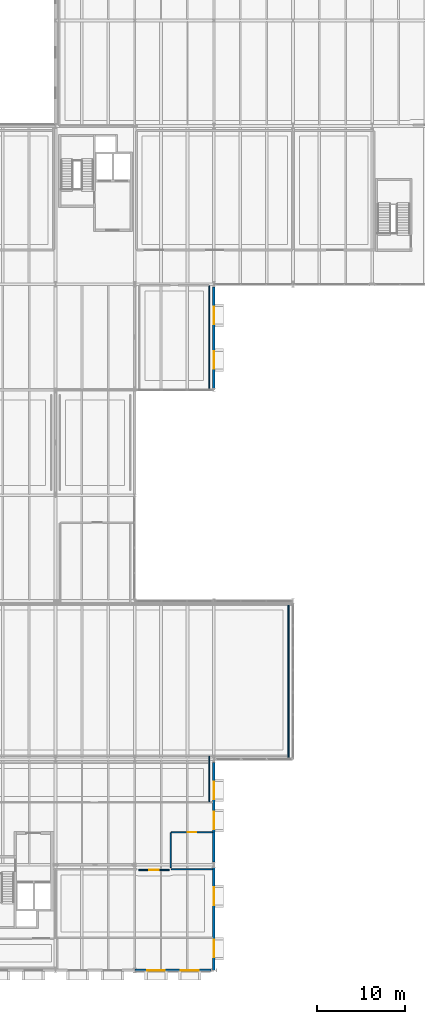
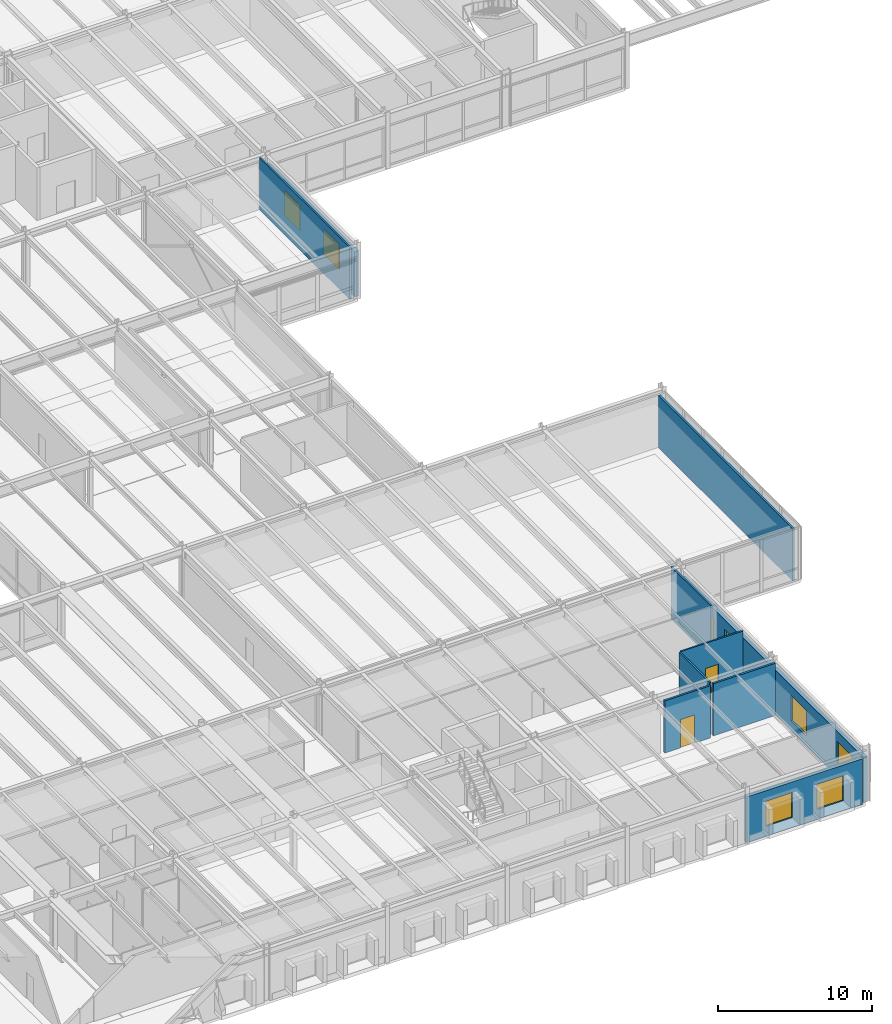
# One storey, part 116 of 127: 11 walls, 8 windows, 2 doors, 10 openings.
"""IFC4 building model written with IfcOpenShell, lengths in metres."""

from ifc_helpers import new_model, si_unit, direction, frame, frame_2d, origin, place, context, subcontext, project, spatial, rectangle, extrude, material, layer, layer_set, type_object, element, fill, save


model = new_model("IFC4")

# Units and contexts
model_context = context("Model", 3, precision=1e-05, world=origin(), true_north=direction((0.0, 1.0)))
body_context = subcontext(model_context, "Body", "Model", "MODEL_VIEW")
ifc_project = project(units=[si_unit("LENGTHUNIT", "METRE"), si_unit("AREAUNIT", "SQUARE_METRE"), si_unit("VOLUMEUNIT", "CUBIC_METRE"), si_unit("PLANEANGLEUNIT", "RADIAN"), si_unit("MASSUNIT", "GRAM", prefix="KILO")], contexts=[model_context])

# Site, building, storey
site_placement = place(None, origin())
site = spatial("IfcSite", under=ifc_project, at=site_placement, CompositionType="ELEMENT")
building_placement = place(site_placement, origin())
building = spatial("IfcBuilding", under=site, at=building_placement, Name="Montelvaro Courts of Justice", CompositionType="ELEMENT")
storey_placement = place(building_placement, frame((0.0, 0.0, 5.39990234375)))
storey = spatial("IfcBuildingStorey", under=building, at=storey_placement, Name="L01", CompositionType="ELEMENT", Elevation=5.39990234375)

# Walls
ifc_material_1 = material(Name="Gypsum board on metal stud")
ifc_layer_1 = layer(ifc_material_1, 0.14990234375)
ifc_layer_set_1 = layer_set([ifc_layer_1], Name="Gypsum board on metal stud")
wall_type_1 = type_object("IfcWallType", Name="ChambersPartition_150", PredefinedType="PARTITIONING", material=ifc_layer_set_1)
wall_1_placement = place(storey_placement, frame((143.5, 41.530029296875, 0.0), z_axis=(0.0, 0.0, 1.0), x_axis=(0.0, -1.0, 0.0)))
element("IfcWall", 1, at=wall_1_placement, inside=storey, type_object=wall_type_1, Name="Interior Partition IW-04 (L01)", PredefinedType="PARTITIONING", context=body_context, shape_type="SweptSolid", body=[
    extrude(rectangle(XDim=17.455078125, YDim=0.14990234375, at=frame_2d((8.7275390625, 0.0))), origin(), (0.0, 0.0, 1.0), 4.14013671875),
])
wall_2_placement = place(storey_placement, frame((130.179931640625, 11.5, 0.0), z_axis=(0.0, 0.0, 1.0), x_axis=(1.0, 0.0, 0.0)))
element("IfcWall", 2, at=wall_2_placement, inside=storey, type_object=wall_type_1, Name="Interior Partition IW-04 (L01)", PredefinedType="PARTITIONING", context=body_context, shape_type="SweptSolid", body=[
    extrude(rectangle(XDim=4.675048828125, YDim=0.14990234375, at=frame_2d((2.33740234375, 0.0))), origin(), (0.0, 0.0, 1.0), 4.14013671875),
])

# Wall, opening, door
wall_3_placement = place(storey_placement, frame((126.47998046875, 11.39990234375, 0.0), z_axis=(0.0, 0.0, 1.0), x_axis=(1.0, 0.0, 0.0)))
wall_3 = element("IfcWall", 3, at=wall_3_placement, inside=storey, type_object=wall_type_1, Name="Interior Partition IW-04 (L01)", PredefinedType="PARTITIONING", context=body_context, shape_type="SweptSolid", body=[
    extrude(rectangle(XDim=3.43994140625, YDim=0.14990234375, at=frame_2d((1.719970703125, 0.0))), origin(), (0.0, 0.0, 1.0), 4.14013671875),
])
opening_1_placement = place(wall_3_placement, frame((1.195068359375, 0.0, 0.0)))
opening_1 = element("IfcOpeningElement", 4, at=opening_1_placement, cuts=wall_3, Name="Opening D-L01-075", PredefinedType="OPENING", context=body_context, shape_type="SweptSolid", body=[
    extrude(rectangle(XDim=1.050048828125, YDim=2.25, at=frame_2d((0.52490234375, 1.125))), frame((0.0, 0.08984375, 0.0), z_axis=(0.0, -1.0, 0.0), x_axis=(1.0, 0.0, 0.0)), (0.0, 0.0, 1.0), 0.1796875),
])
ifc_material_2 = material(Name="Acoustic oak timber veneer", Category="wood")
door_type_1 = type_object("IfcDoorType", Name="ChamberDoor_105x225", OperationType="NOTDEFINED", PredefinedType="DOOR", material=ifc_material_2)
door_1_placement = place(opening_1_placement, frame((1.050048828125, 0.0, 0.0), z_axis=(0.0, 0.0, 1.0), x_axis=(-1.0, 0.0, 0.0)))
door_1 = element("IfcDoor", 5, at=door_1_placement, inside=storey, type_object=door_type_1, Name="Interior Door D-L01-075 (Court Interpreters' Suite L01)", OperationType="SINGLE_SWING_RIGHT", OverallHeight=2.25, OverallWidth=1.050048828125, PredefinedType="DOOR", context=body_context, shape_type="SweptSolid", body=[
    extrude(rectangle(XDim=1.050048828125, YDim=2.25, at=frame_2d((0.52490234375, 1.125))), frame((0.0, 0.02490234375, 0.0), z_axis=(0.0, -1.0, 0.0), x_axis=(1.0, 0.0, 0.0)), (0.0, 0.0, 1.0), 0.050048828125),
])
fill(opening_1, door_1)

# Wall, openings, windows
ifc_material_3 = material(Name="White mineral precast concrete C45/55", Category="concrete")
ifc_layer_2 = layer(ifc_material_3, 0.300048828125)
ifc_layer_set_2 = layer_set([ifc_layer_2], Name="White mineral precast concrete C45/55")
wall_type_2 = type_object("IfcWallType", Name="ExtWall_GFRC_300", PredefinedType="SOLIDWALL", material=ifc_layer_set_2)
wall_4_placement = place(storey_placement, frame((135.0, 66.157958984375, 0.0), z_axis=(0.0, 0.0, 1.0), x_axis=(0.0, 1.0, 0.0)))
wall_4 = element("IfcWall", 6, at=wall_4_placement, inside=storey, type_object=wall_type_2, Name="Exterior Facade Wall EW-02 (L01)", PredefinedType="SOLIDWALL", context=body_context, shape_type="SweptSolid", body=[
    extrude(rectangle(XDim=11.5439453125, YDim=0.300048828125, at=frame_2d((5.77197265625, 0.0))), origin(), (0.0, 0.0, 1.0), 3.59521484375),
])
opening_2_placement = place(wall_4_placement, frame((2.23193359375, 0.0, 0.800048828125)))
opening_2 = element("IfcOpeningElement", 7, at=opening_2_placement, cuts=wall_4, Name="Opening WE-11", PredefinedType="OPENING", context=body_context, shape_type="SweptSolid", body=[
    extrude(rectangle(XDim=2.0, YDim=2.0, at=frame_2d((1.0, 1.0))), frame((0.0, 0.1650390625, 0.0), z_axis=(0.0, -1.0, 0.0), x_axis=(1.0, 0.0, 0.0)), (0.0, 0.0, 1.0), 0.329833984375),
])
opening_3_placement = place(wall_4_placement, frame((7.31201171875, 0.0, 0.800048828125)))
opening_3 = element("IfcOpeningElement", 8, at=opening_3_placement, cuts=wall_4, Name="Opening WE-11", PredefinedType="OPENING", context=body_context, shape_type="SweptSolid", body=[
    extrude(rectangle(XDim=2.0, YDim=2.0, at=frame_2d((1.0, 1.0))), frame((0.0, 0.1650390625, 0.0), z_axis=(0.0, -1.0, 0.0), x_axis=(1.0, 0.0, 0.0)), (0.0, 0.0, 1.0), 0.329833984375),
])
ifc_material_4 = material(Name="Low-E solar control double glazing", Category="glass")
window_type = type_object("IfcWindowType", Name="Win_Sq_200x200", PartitioningType="SINGLE_PANEL", PredefinedType="WINDOW", material=ifc_material_4)
window_1_placement = place(opening_2_placement, origin())
window_1 = element("IfcWindow", 9, at=window_1_placement, inside=storey, type_object=window_type, Name="Window W-L01-040", OverallHeight=2.0, OverallWidth=2.0, PartitioningType="SINGLE_PANEL", PredefinedType="WINDOW", context=body_context, shape_type="SweptSolid", body=[
    extrude(rectangle(XDim=2.0, YDim=2.0, at=frame_2d((1.0, 1.0))), frame((0.0, 0.030029296875, 0.0), z_axis=(0.0, -1.0, 0.0), x_axis=(1.0, 0.0, 0.0)), (0.0, 0.0, 1.0), 0.06005859375),
])
fill(opening_2, window_1)
window_2_placement = place(opening_3_placement, origin())
window_2 = element("IfcWindow", 10, at=window_2_placement, inside=storey, type_object=window_type, Name="Window W-L01-041", OverallHeight=2.0, OverallWidth=2.0, PartitioningType="SINGLE_PANEL", PredefinedType="WINDOW", context=body_context, shape_type="SweptSolid", body=[
    extrude(rectangle(XDim=2.0, YDim=2.0, at=frame_2d((1.0, 1.0))), frame((0.0, 0.030029296875, 0.0), z_axis=(0.0, -1.0, 0.0), x_axis=(1.0, 0.0, 0.0)), (0.0, 0.0, 1.0), 0.06005859375),
])
fill(opening_3, window_2)

wall_5_placement = place(storey_placement, frame((126.008056640625, 0.0, 0.0), z_axis=(0.0, 0.0, 1.0), x_axis=(1.0, 0.0, 0.0)))
wall_5 = element("IfcWall", 11, at=wall_5_placement, inside=storey, type_object=wall_type_2, Name="Exterior Facade Wall EW-02 (L01)", PredefinedType="SOLIDWALL", context=body_context, shape_type="SweptSolid", body=[
    extrude(rectangle(XDim=8.683837890625, YDim=0.300048828125, at=frame_2d((4.341796875, 0.0))), origin(), (0.0, 0.0, 1.0), 3.635009765625),
])
opening_4_placement = place(wall_5_placement, frame((1.431884765625, 0.0, 0.800048828125)))
opening_4 = element("IfcOpeningElement", 12, at=opening_4_placement, cuts=wall_5, Name="Opening WE-11", PredefinedType="OPENING", context=body_context, shape_type="SweptSolid", body=[
    extrude(rectangle(XDim=2.0, YDim=2.0, at=frame_2d((1.0, 1.0))), frame((0.0, 0.1650390625, 0.0), z_axis=(0.0, -1.0, 0.0), x_axis=(1.0, 0.0, 0.0)), (0.0, 0.0, 1.0), 0.329833984375),
])
opening_5_placement = place(wall_5_placement, frame((5.251953125, 0.0, 0.800048828125)))
opening_5 = element("IfcOpeningElement", 13, at=opening_5_placement, cuts=wall_5, Name="Opening WE-11", PredefinedType="OPENING", context=body_context, shape_type="SweptSolid", body=[
    extrude(rectangle(XDim=2.0, YDim=2.0, at=frame_2d((1.0, 1.0))), frame((0.0, 0.1650390625, 0.0), z_axis=(0.0, -1.0, 0.0), x_axis=(1.0, 0.0, 0.0)), (0.0, 0.0, 1.0), 0.329833984375),
])
window_3_placement = place(opening_4_placement, origin())
window_3 = element("IfcWindow", 14, at=window_3_placement, inside=storey, type_object=window_type, Name="Window W-L01-072", OverallHeight=2.0, OverallWidth=2.0, PartitioningType="SINGLE_PANEL", PredefinedType="WINDOW", context=body_context, shape_type="SweptSolid", body=[
    extrude(rectangle(XDim=2.0, YDim=2.0, at=frame_2d((1.0, 1.0))), frame((0.0, 0.030029296875, 0.0), z_axis=(0.0, -1.0, 0.0), x_axis=(1.0, 0.0, 0.0)), (0.0, 0.0, 1.0), 0.06005859375),
])
fill(opening_4, window_3)
window_4_placement = place(opening_5_placement, origin())
window_4 = element("IfcWindow", 15, at=window_4_placement, inside=storey, type_object=window_type, Name="Window W-L01-073", OverallHeight=2.0, OverallWidth=2.0, PartitioningType="SINGLE_PANEL", PredefinedType="WINDOW", context=body_context, shape_type="SweptSolid", body=[
    extrude(rectangle(XDim=2.0, YDim=2.0, at=frame_2d((1.0, 1.0))), frame((0.0, 0.030029296875, 0.0), z_axis=(0.0, -1.0, 0.0), x_axis=(1.0, 0.0, 0.0)), (0.0, 0.0, 1.0), 0.06005859375),
])
fill(opening_5, window_4)

wall_6_placement = place(storey_placement, frame((135.0, 0.008056640625, 0.0), z_axis=(0.0, 0.0, 1.0), x_axis=(0.0, 1.0, 0.0)))
wall_6 = element("IfcWall", 16, at=wall_6_placement, inside=storey, type_object=wall_type_2, Name="Exterior Facade Wall EW-02 (L01)", PredefinedType="SOLIDWALL", context=body_context, shape_type="SweptSolid", body=[
    extrude(rectangle(XDim=11.683837890625, YDim=0.300048828125, at=frame_2d((5.841796875, 0.0))), origin(), (0.0, 0.0, 1.0), 3.5751953125),
])
opening_6_placement = place(wall_6_placement, frame((1.451904296875, 0.0, 0.800048828125)))
opening_6 = element("IfcOpeningElement", 17, at=opening_6_placement, cuts=wall_6, Name="Opening WE-11", PredefinedType="OPENING", context=body_context, shape_type="SweptSolid", body=[
    extrude(rectangle(XDim=2.0, YDim=2.0, at=frame_2d((1.0, 1.0))), frame((0.0, 0.1650390625, 0.0), z_axis=(0.0, -1.0, 0.0), x_axis=(1.0, 0.0, 0.0)), (0.0, 0.0, 1.0), 0.329833984375),
])
opening_7_placement = place(wall_6_placement, frame((7.412109375, 0.0, 0.800048828125)))
opening_7 = element("IfcOpeningElement", 18, at=opening_7_placement, cuts=wall_6, Name="Opening WE-11", PredefinedType="OPENING", context=body_context, shape_type="SweptSolid", body=[
    extrude(rectangle(XDim=2.0, YDim=2.0, at=frame_2d((1.0, 1.0))), frame((0.0, 0.1650390625, 0.0), z_axis=(0.0, -1.0, 0.0), x_axis=(1.0, 0.0, 0.0)), (0.0, 0.0, 1.0), 0.329833984375),
])
window_5_placement = place(opening_6_placement, origin())
window_5 = element("IfcWindow", 19, at=window_5_placement, inside=storey, type_object=window_type, Name="Window W-L01-074", OverallHeight=2.0, OverallWidth=2.0, PartitioningType="SINGLE_PANEL", PredefinedType="WINDOW", context=body_context, shape_type="SweptSolid", body=[
    extrude(rectangle(XDim=2.0, YDim=2.0, at=frame_2d((1.0, 1.0))), frame((0.0, 0.030029296875, 0.0), z_axis=(0.0, -1.0, 0.0), x_axis=(1.0, 0.0, 0.0)), (0.0, 0.0, 1.0), 0.06005859375),
])
fill(opening_6, window_5)
window_6_placement = place(opening_7_placement, origin())
window_6 = element("IfcWindow", 20, at=window_6_placement, inside=storey, type_object=window_type, Name="Window W-L01-075", OverallHeight=2.0, OverallWidth=2.0, PartitioningType="SINGLE_PANEL", PredefinedType="WINDOW", context=body_context, shape_type="SweptSolid", body=[
    extrude(rectangle(XDim=2.0, YDim=2.0, at=frame_2d((1.0, 1.0))), frame((0.0, 0.030029296875, 0.0), z_axis=(0.0, -1.0, 0.0), x_axis=(1.0, 0.0, 0.0)), (0.0, 0.0, 1.0), 0.06005859375),
])
fill(opening_7, window_6)

wall_7_placement = place(storey_placement, frame((135.0, 12.30810546875, 0.0), z_axis=(0.0, 0.0, 1.0), x_axis=(0.0, 1.0, 0.0)))
wall_7 = element("IfcWall", 21, at=wall_7_placement, inside=storey, type_object=wall_type_2, Name="Exterior Facade Wall EW-02 (L01)", PredefinedType="SOLIDWALL", context=body_context, shape_type="SweptSolid", body=[
    extrude(rectangle(XDim=11.3359375, YDim=0.300048828125, at=frame_2d((5.66796875, 0.0))), origin(), (0.0, 0.0, 1.0), 3.5751953125),
])
opening_8_placement = place(wall_7_placement, frame((3.73193359375, 0.0, 0.800048828125)))
opening_8 = element("IfcOpeningElement", 22, at=opening_8_placement, cuts=wall_7, Name="Opening WE-11", PredefinedType="OPENING", context=body_context, shape_type="SweptSolid", body=[
    extrude(rectangle(XDim=2.0, YDim=2.0, at=frame_2d((1.0, 1.0))), frame((0.0, 0.1650390625, 0.0), z_axis=(0.0, -1.0, 0.0), x_axis=(1.0, 0.0, 0.0)), (0.0, 0.0, 1.0), 0.329833984375),
])
opening_9_placement = place(wall_7_placement, frame((7.162109375, 0.0, 0.800048828125)))
opening_9 = element("IfcOpeningElement", 23, at=opening_9_placement, cuts=wall_7, Name="Opening WE-11", PredefinedType="OPENING", context=body_context, shape_type="SweptSolid", body=[
    extrude(rectangle(XDim=2.0, YDim=2.0, at=frame_2d((1.0, 1.0))), frame((0.0, 0.1650390625, 0.0), z_axis=(0.0, -1.0, 0.0), x_axis=(1.0, 0.0, 0.0)), (0.0, 0.0, 1.0), 0.329833984375),
])
window_7_placement = place(opening_8_placement, origin())
window_7 = element("IfcWindow", 24, at=window_7_placement, inside=storey, type_object=window_type, Name="Window W-L01-076", OverallHeight=2.0, OverallWidth=2.0, PartitioningType="SINGLE_PANEL", PredefinedType="WINDOW", context=body_context, shape_type="SweptSolid", body=[
    extrude(rectangle(XDim=2.0, YDim=2.0, at=frame_2d((1.0, 1.0))), frame((0.0, 0.030029296875, 0.0), z_axis=(0.0, -1.0, 0.0), x_axis=(1.0, 0.0, 0.0)), (0.0, 0.0, 1.0), 0.06005859375),
])
fill(opening_8, window_7)
window_8_placement = place(opening_9_placement, origin())
window_8 = element("IfcWindow", 25, at=window_8_placement, inside=storey, type_object=window_type, Name="Window W-L01-077", OverallHeight=2.0, OverallWidth=2.0, PartitioningType="SINGLE_PANEL", PredefinedType="WINDOW", context=body_context, shape_type="SweptSolid", body=[
    extrude(rectangle(XDim=2.0, YDim=2.0, at=frame_2d((1.0, 1.0))), frame((0.0, 0.030029296875, 0.0), z_axis=(0.0, -1.0, 0.0), x_axis=(1.0, 0.0, 0.0)), (0.0, 0.0, 1.0), 0.06005859375),
])
fill(opening_9, window_8)

# Walls
ifc_layer_3 = layer(ifc_material_1, 0.1201171875)
ifc_layer_set_3 = layer_set([ifc_layer_3], Name="Gypsum board on metal stud")
wall_type_3 = type_object("IfcWallType", Name="OfficePartition_120", PredefinedType="PARTITIONING", material=ifc_layer_set_3)
wall_8_placement = place(storey_placement, frame((134.5, 77.820068359375, 0.0), z_axis=(0.0, 0.0, 1.0), x_axis=(0.0, -1.0, 0.0)))
element("IfcWall", 26, at=wall_8_placement, inside=storey, type_object=wall_type_3, Name="Interior Partition IW-05 (L01)", PredefinedType="PARTITIONING", context=body_context, shape_type="SweptSolid", body=[
    extrude(rectangle(XDim=11.7451171875, YDim=0.1201171875, at=frame_2d((5.87255859375, 0.0))), origin(), (0.0, 0.0, 1.0), 4.14013671875),
])
wall_9_placement = place(storey_placement, frame((134.5, 24.330078125, 0.0), z_axis=(0.0, 0.0, 1.0), x_axis=(0.0, -1.0, 0.0)))
element("IfcWall", 27, at=wall_9_placement, inside=storey, type_object=wall_type_3, Name="Interior Partition IW-05 (L01)", PredefinedType="PARTITIONING", context=body_context, shape_type="SweptSolid", body=[
    extrude(rectangle(XDim=5.150146484375, YDim=0.1201171875, at=frame_2d((2.5751953125, 0.0))), origin(), (0.0, 0.0, 1.0), 4.14013671875),
])
wall_10_placement = place(storey_placement, frame((130.10009765625, 11.679931640625, 0.0), z_axis=(0.0, 0.0, 1.0), x_axis=(0.0, 1.0, 0.0)))
element("IfcWall", 28, at=wall_10_placement, inside=storey, type_object=wall_type_3, Name="Interior Partition IW-05 (L01)", PredefinedType="PARTITIONING", context=body_context, shape_type="SweptSolid", body=[
    extrude(rectangle(XDim=3.940185546875, YDim=0.1201171875, at=frame_2d((1.97021484375, 0.0))), origin(), (0.0, 0.0, 1.0), 4.14013671875),
])

# Wall, opening, door
wall_11_placement = place(storey_placement, frame((130.179931640625, 15.699951171875, 0.0), z_axis=(0.0, 0.0, 1.0), x_axis=(1.0, 0.0, 0.0)))
wall_11 = element("IfcWall", 29, at=wall_11_placement, inside=storey, type_object=wall_type_3, Name="Interior Partition IW-05 (L01)", PredefinedType="PARTITIONING", context=body_context, shape_type="SweptSolid", body=[
    extrude(rectangle(XDim=4.675048828125, YDim=0.1201171875, at=frame_2d((2.33740234375, 0.0))), origin(), (0.0, 0.0, 1.0), 4.14013671875),
])
opening_10_placement = place(wall_11_placement, frame((1.862060546875, 0.0, 0.0)))
opening_10 = element("IfcOpeningElement", 30, at=opening_10_placement, cuts=wall_11, Name="Opening D-L01-076", PredefinedType="OPENING", context=body_context, shape_type="SweptSolid", body=[
    extrude(rectangle(XDim=0.949951171875, YDim=2.14990234375, at=frame_2d((0.47509765625, 1.074951171875))), frame((0.0, 0.074951171875, 0.0), z_axis=(0.0, -1.0, 0.0), x_axis=(1.0, 0.0, 0.0)), (0.0, 0.0, 1.0), 0.14990234375),
])
door_type_2 = type_object("IfcDoorType", Name="OfficeDoor_095x215", OperationType="NOTDEFINED", PredefinedType="DOOR", material=ifc_material_2)
door_2_placement = place(opening_10_placement, origin())
door_2 = element("IfcDoor", 31, at=door_2_placement, inside=storey, type_object=door_type_2, Name="Interior Door D-L01-076 (Legal Aid Consultation Office L01)", OperationType="SINGLE_SWING_LEFT", OverallHeight=2.14990234375, OverallWidth=0.949951171875, PredefinedType="DOOR", context=body_context, shape_type="SweptSolid", body=[
    extrude(rectangle(XDim=0.949951171875, YDim=2.14990234375, at=frame_2d((0.47509765625, 1.074951171875))), frame((0.0, 0.02490234375, 0.0), z_axis=(0.0, -1.0, 0.0), x_axis=(1.0, 0.0, 0.0)), (0.0, 0.0, 1.0), 0.050048828125),
])
fill(opening_10, door_2)

save(model, "model.ifc")
